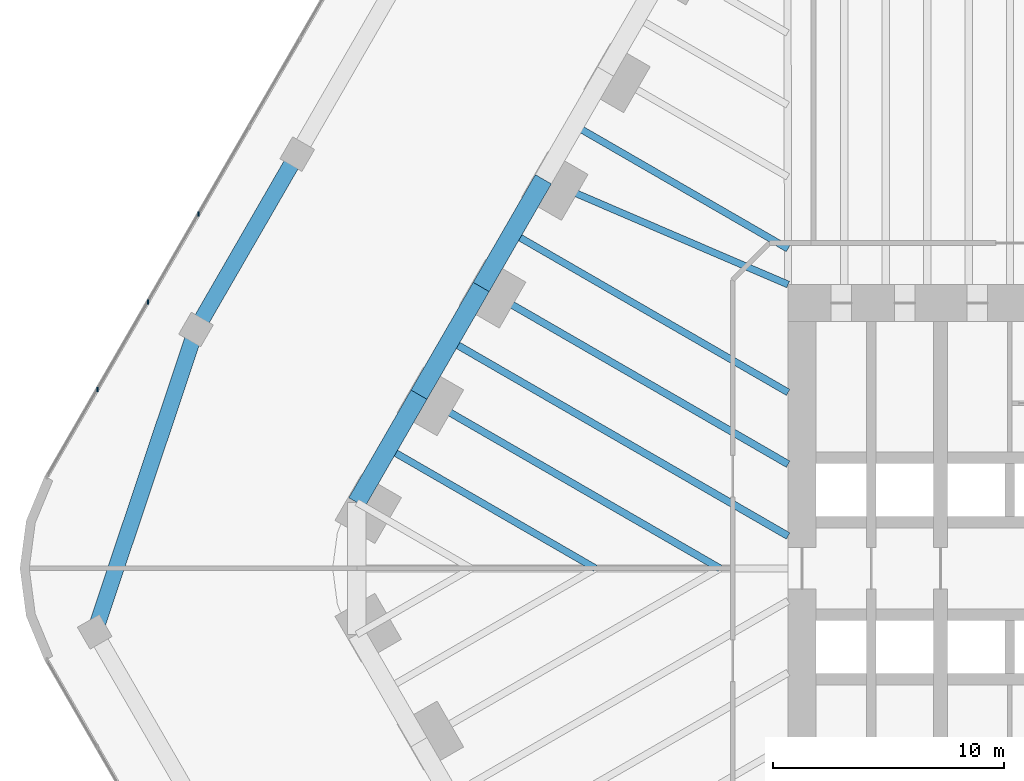
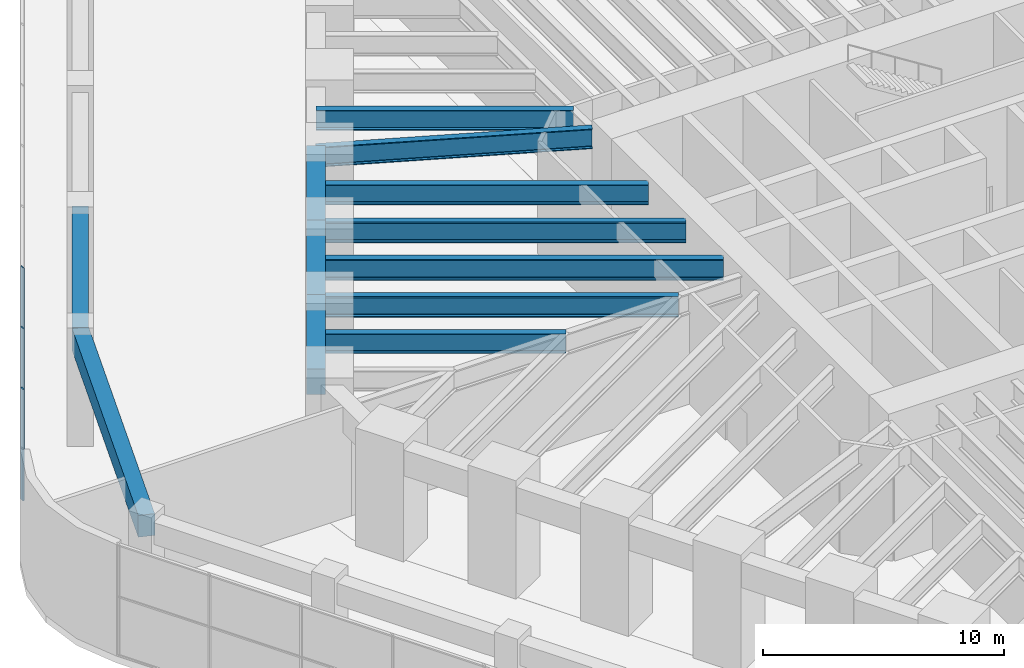
# One storey, part 10 of 31: 12 beams, 3 members, 1 element without a shape of its own.
"""IFC4 building model written with IfcOpenShell, lengths in metres."""

from ifc_helpers import new_model, si_unit, direction, frame, origin, origin_2d, place, context, subcontext, project, spatial, rectangle, i_section, extrude, material, material_profile, profile_set, type_object, element, aggregate, save


model = new_model("IFC4")

# Units and contexts
model_context = context("Model", 3, precision=1e-05, world=origin(), true_north=direction((0.0, 1.0)))
body_context = subcontext(model_context, "Body", "Model", "MODEL_VIEW")
ifc_project = project(units=[si_unit("LENGTHUNIT", "METRE"), si_unit("AREAUNIT", "SQUARE_METRE"), si_unit("VOLUMEUNIT", "CUBIC_METRE"), si_unit("PLANEANGLEUNIT", "RADIAN"), si_unit("MASSUNIT", "GRAM", prefix="KILO")], contexts=[model_context])

# Site, building, storey
site_placement = place(None, origin())
site = spatial("IfcSite", under=ifc_project, at=site_placement, CompositionType="ELEMENT")
building_placement = place(site_placement, origin())
building = spatial("IfcBuilding", under=site, at=building_placement, Name="Tarfa Lantern Tower", CompositionType="ELEMENT")
storey_placement = place(building_placement, frame((0.0, 0.0, 7.0)))
storey = spatial("IfcBuildingStorey", under=building, at=storey_placement, Name="L01", CompositionType="ELEMENT", Elevation=7.0)

# Curtain wall, members
ifc_material_1 = material(Name="Aluminium framed curtain wall", Category="aluminium")
curtain_wall_type = type_object("IfcCurtainWallType", Name="CW7 PODIUM GLAZING 5650", PredefinedType="USERDEFINED", material=ifc_material_1)
curtain_wall_placement = place(storey_placement, origin())
curtain_wall = element("IfcCurtainWall", 1, at=curtain_wall_placement, inside=storey, type_object=curtain_wall_type, Name="CW7 NW L01", ObjectType="CURTAIN WALL", PredefinedType="USERDEFINED")
ifc_material_2 = material(Name="Aluminium mullion", Category="aluminium")
ifc_material_profile_1 = material_profile(ifc_material_2, rectangle(XDim=0.06494140625, YDim=0.199951171875, at=origin_2d()), Name="AL MULLION 65x200")
ifc_profile_set_1 = profile_set([ifc_material_profile_1], Name="Aluminium mullion")
member_type = type_object("IfcMemberType", Name="CWM1 MULLION 65x200", PredefinedType="MULLION", material=ifc_profile_set_1)
member_1_placement = place(storey_placement, frame((-44.138427734375, 15.35009765625, 0.0), z_axis=(0.0, 0.0, 1.0), x_axis=(1.0, 0.0, 0.0)))
member_1 = element("IfcMember", 2, at=member_1_placement, type_object=member_type, Name="CW7 mullion 8", PredefinedType="MULLION", context=body_context, shape_type="SweptSolid", body=[
    extrude(rectangle(XDim=0.06494140625, YDim=0.199951171875, at=origin_2d()), origin(), (0.0, 0.0, 1.0), 5.64990234375),
])
member_2_placement = place(storey_placement, frame((-46.332275390625, 11.550048828125, 0.0), z_axis=(0.0, 0.0, 1.0), x_axis=(1.0, 0.0, 0.0)))
member_2 = element("IfcMember", 3, at=member_2_placement, type_object=member_type, Name="CW7 mullion 9", PredefinedType="MULLION", context=body_context, shape_type="SweptSolid", body=[
    extrude(rectangle(XDim=0.06494140625, YDim=0.199951171875, at=origin_2d()), origin(), (0.0, 0.0, 1.0), 5.64990234375),
])
member_3_placement = place(storey_placement, frame((-48.5263671875, 7.75, 0.0), z_axis=(0.0, 0.0, 1.0), x_axis=(1.0, 0.0, 0.0)))
member_3 = element("IfcMember", 4, at=member_3_placement, type_object=member_type, Name="CW7 mullion 10", PredefinedType="MULLION", context=body_context, shape_type="SweptSolid", body=[
    extrude(rectangle(XDim=0.06494140625, YDim=0.199951171875, at=origin_2d()), origin(), (0.0, 0.0, 1.0), 5.64990234375),
])
aggregate(curtain_wall, [member_1, member_2, member_3])

# Beams
ifc_material_3 = material(Name="Concrete C80/95", Category="concrete")
ifc_material_profile_2 = material_profile(ifc_material_3, rectangle(XDim=0.800048828125, YDim=1.300048828125, at=origin_2d()), Name="RC 800x1300")
ifc_profile_set_2 = profile_set([ifc_material_profile_2], Name="Concrete C80/95")
beam_type_1 = type_object("IfcBeamType", Name="EB1 RC 800x1300", PredefinedType="SPANDREL", material=ifc_profile_set_2)
for number, where, z_axis, x_axis, name in (
    (5, (-29.202392578125, 16.860107421875, 5.0), (-0.499998287579, -0.866026392449, 0.0), (0.866026392449, -0.499998287579, 0.0), "Edge beam NW3"),
    (6, (-31.896728515625, 12.193359375, 5.0), (-0.499998287579, -0.866026392449, 0.0), (0.866026392449, -0.499998287579, 0.0), "Edge beam NW4"),
):
    element("IfcBeam", number, at=place(storey_placement, frame(where, z_axis=z_axis, x_axis=x_axis)), inside=storey, type_object=beam_type_1, Name=name, PredefinedType="SPANDREL", context=body_context, shape_type="SweptSolid", body=[
        extrude(rectangle(XDim=0.800048828125, YDim=1.300048828125, at=origin_2d()), origin(), (0.0, 0.0, 1.0), 5.388671875),
    ])
beam_1_placement = place(storey_placement, frame((-34.591064453125, 7.526611328125, 5.0), z_axis=(-0.500017906299, -0.866015065331, 0.0), x_axis=(0.866015065331, -0.500017906299, 0.0)))
element("IfcBeam", 7, at=beam_1_placement, inside=storey, type_object=beam_type_1, Name="Edge beam NW5", PredefinedType="SPANDREL", context=body_context, shape_type="SweptSolid", body=[
    extrude(rectangle(XDim=0.800048828125, YDim=1.300048828125, at=origin_2d()), origin(), (0.0, 0.0, 1.0), 5.388427734375),
])
ifc_material_profile_3 = material_profile(ifc_material_3, rectangle(XDim=0.699951171875, YDim=1.10009765625, at=origin_2d()), Name="RC 700x1100")
ifc_profile_set_3 = profile_set([ifc_material_profile_3], Name="Concrete C80/95")
beam_type_2 = type_object("IfcBeamType", Name="PB1 RC 700x1100", PredefinedType="BEAM", material=ifc_profile_set_3)
beam_2_placement = place(storey_placement, frame((-39.865966796875, 17.949951171875, 5.10009765625), z_axis=(-0.500013843384, -0.866017411155, 0.0), x_axis=(0.866017411155, -0.500013843384, 0.0)))
element("IfcBeam", 8, at=beam_2_placement, inside=storey, type_object=beam_type_2, Name="Podium ring beam NW3", PredefinedType="BEAM", context=body_context, shape_type="SweptSolid", body=[
    extrude(rectangle(XDim=0.699951171875, YDim=1.10009765625, at=origin_2d()), origin(), (0.0, 0.0, 1.0), 8.775634765625),
])
beam_3_placement = place(storey_placement, frame((-44.25390625, 10.35009765625, 5.10009765625), z_axis=(-0.317611113529, -0.948221061021, 0.0), x_axis=(0.948221061021, -0.317611113529, 0.0)))
element("IfcBeam", 9, at=beam_3_placement, inside=storey, type_object=beam_type_2, Name="Podium ring beam NW4", PredefinedType="BEAM", context=body_context, shape_type="SweptSolid", body=[
    extrude(rectangle(XDim=0.699951171875, YDim=1.10009765625, at=origin_2d()), origin(), (0.0, 0.0, 1.0), 13.8154296875),
])
ifc_material_4 = material(Name="Steel S460M", Category="steel")
ifc_material_profile_4 = material_profile(ifc_material_4, i_section(OverallWidth=0.302001953125, OverallDepth=1.008056640625, WebThickness=0.02099609375, FlangeThickness=0.0400390625, FilletRadius=0.030029296875, at=origin_2d()), Name="UB1016x305x349")
ifc_profile_set_4 = profile_set([ifc_material_profile_4], Name="Steel S460M")
beam_type_3 = type_object("IfcBeamType", Name="UB1016x305x349", PredefinedType="BEAM", material=ifc_profile_set_4)
beam_4_placement = place(storey_placement, frame((-29.202392578125, 16.860107421875, 5.14599609375), z_axis=(0.918635483867, -0.395106122175, 0.0), x_axis=(0.395106122175, 0.918635483867, 0.0)))
element("IfcBeam", 10, at=beam_4_placement, inside=storey, type_object=beam_type_3, Name="Floor beam NW3", PredefinedType="BEAM", context=body_context, shape_type="SweptSolid", body=[
    extrude(i_section(OverallWidth=0.302001953125, OverallDepth=1.008056640625, WebThickness=0.02099609375, FlangeThickness=0.0400390625, FilletRadius=0.030029296875, at=origin_2d()), origin(), (0.0, 0.0, 1.0), 11.541259765625),
])
beam_5_placement = place(storey_placement, frame((-27.855224609375, 19.193359375, 5.14599609375), z_axis=(0.866028034017, -0.499995444275, 0.0), x_axis=(0.499995444275, 0.866028034017, 0.0)))
element("IfcBeam", 11, at=beam_5_placement, inside=storey, type_object=beam_type_3, Name="Floor beam NW2M", PredefinedType="BEAM", context=body_context, shape_type="SweptSolid", body=[
    extrude(i_section(OverallWidth=0.302001953125, OverallDepth=1.008056640625, WebThickness=0.02099609375, FlangeThickness=0.0400390625, FilletRadius=0.030029296875, at=origin_2d()), origin(), (0.0, 0.0, 1.0), 10.68310546875),
])
beam_6_placement = place(storey_placement, frame((-30.549560546875, 14.526611328125, 5.14599609375), z_axis=(0.866028536827, -0.499994573371, 0.0), x_axis=(0.499994573371, 0.866028536827, 0.0)))
element("IfcBeam", 12, at=beam_6_placement, inside=storey, type_object=beam_type_3, Name="Floor beam NW3M", PredefinedType="BEAM", context=body_context, shape_type="SweptSolid", body=[
    extrude(i_section(OverallWidth=0.302001953125, OverallDepth=1.008056640625, WebThickness=0.02099609375, FlangeThickness=0.0400390625, FilletRadius=0.030029296875, at=origin_2d()), origin(), (0.0, 0.0, 1.0), 13.798095703125),
])
beam_7_placement = place(storey_placement, frame((-35.938232421875, 5.193359375, 5.14599609375), z_axis=(0.866024317969, -0.500001880682, 0.0), x_axis=(0.500001880682, 0.866024317969, 0.0)))
element("IfcBeam", 13, at=beam_7_placement, inside=storey, type_object=beam_type_3, Name="Floor beam NW5M", PredefinedType="BEAM", context=body_context, shape_type="SweptSolid", body=[
    extrude(i_section(OverallWidth=0.302001953125, OverallDepth=1.008056640625, WebThickness=0.02099609375, FlangeThickness=0.0400390625, FilletRadius=0.030029296875, at=origin_2d()), origin(), (0.0, 0.0, 1.0), 10.38671875),
])
ifc_material_profile_5 = material_profile(ifc_material_4, i_section(OverallWidth=0.314208984375, OverallDepth=1.055908203125, WebThickness=0.035888671875, FlangeThickness=0.06396484375, FilletRadius=0.030029296875, at=origin_2d()), Name="UB1016x305x584")
ifc_profile_set_5 = profile_set([ifc_material_profile_5], Name="Steel S460M")
beam_type_4 = type_object("IfcBeamType", Name="UB1016x305x584", PredefinedType="BEAM", material=ifc_profile_set_5)
beam_8_placement = place(storey_placement, frame((-31.896728515625, 12.193359375, 5.1220703125), z_axis=(0.866026971665, -0.499997284341, 0.0), x_axis=(0.499997284341, 0.866026971665, 0.0)))
element("IfcBeam", 14, at=beam_8_placement, inside=storey, type_object=beam_type_4, Name="Floor beam NW4", PredefinedType="BEAM", context=body_context, shape_type="SweptSolid", body=[
    extrude(i_section(OverallWidth=0.314208984375, OverallDepth=1.055908203125, WebThickness=0.035888671875, FlangeThickness=0.06396484375, FilletRadius=0.030029296875, at=origin_2d()), origin(), (0.0, 0.0, 1.0), 15.353515625),
])
beam_9_placement = place(storey_placement, frame((-34.591064453125, 7.526611328125, 5.1220703125), z_axis=(0.86602785945, -0.499995746638, 0.0), x_axis=(0.499995746638, 0.86602785945, 0.0)))
element("IfcBeam", 15, at=beam_9_placement, inside=storey, type_object=beam_type_4, Name="Floor beam NW5", PredefinedType="BEAM", context=body_context, shape_type="SweptSolid", body=[
    extrude(i_section(OverallWidth=0.314208984375, OverallDepth=1.055908203125, WebThickness=0.035888671875, FlangeThickness=0.06396484375, FilletRadius=0.030029296875, at=origin_2d()), origin(), (0.0, 0.0, 1.0), 15.053466796875),
])
beam_10_placement = place(storey_placement, frame((-33.243896484375, 9.860107421875, 5.1220703125), z_axis=(0.866019442478, -0.500010325144, 0.0), x_axis=(0.500010325144, 0.866019442478, 0.0)))
element("IfcBeam", 16, at=beam_10_placement, inside=storey, type_object=beam_type_4, Name="Floor beam NW4M", PredefinedType="BEAM", context=body_context, shape_type="SweptSolid", body=[
    extrude(i_section(OverallWidth=0.314208984375, OverallDepth=1.055908203125, WebThickness=0.035888671875, FlangeThickness=0.06396484375, FilletRadius=0.030029296875, at=origin_2d()), origin(), (0.0, 0.0, 1.0), 16.909423828125),
])

save(model, "model.ifc")
